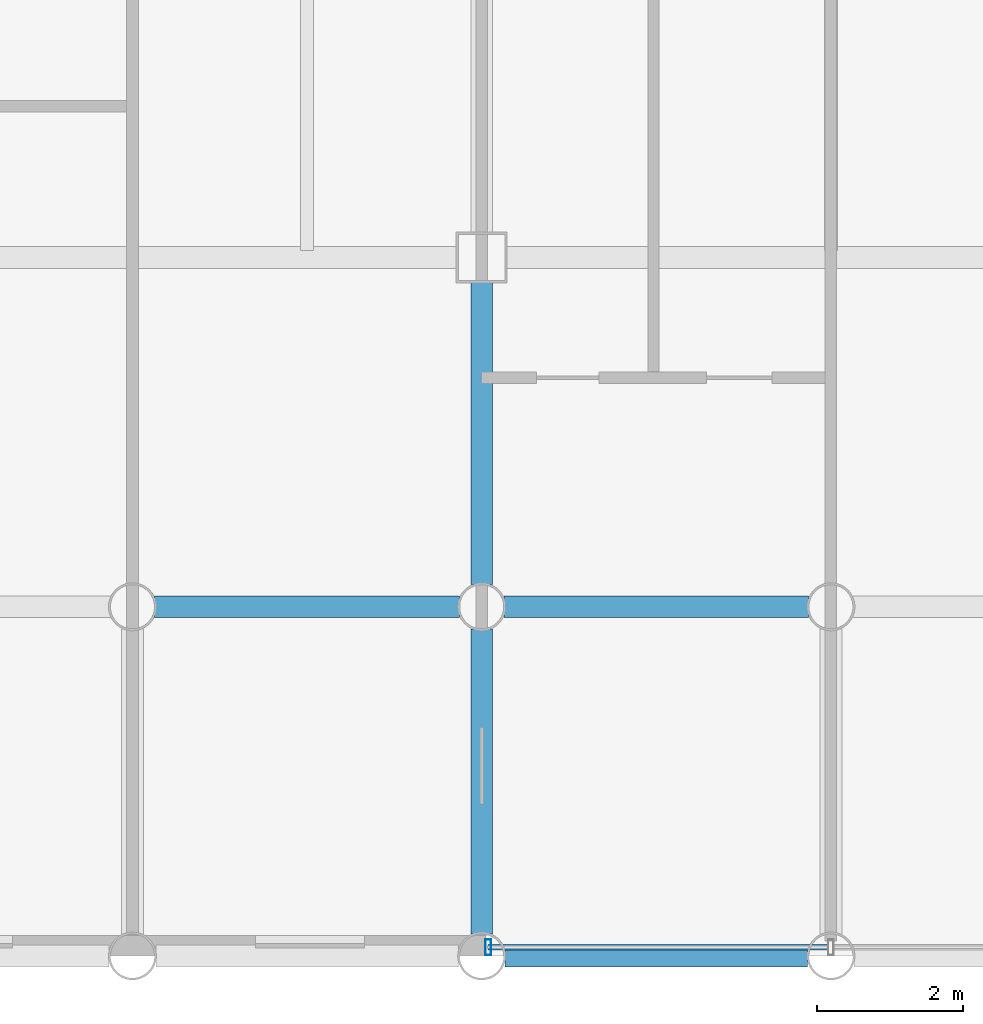
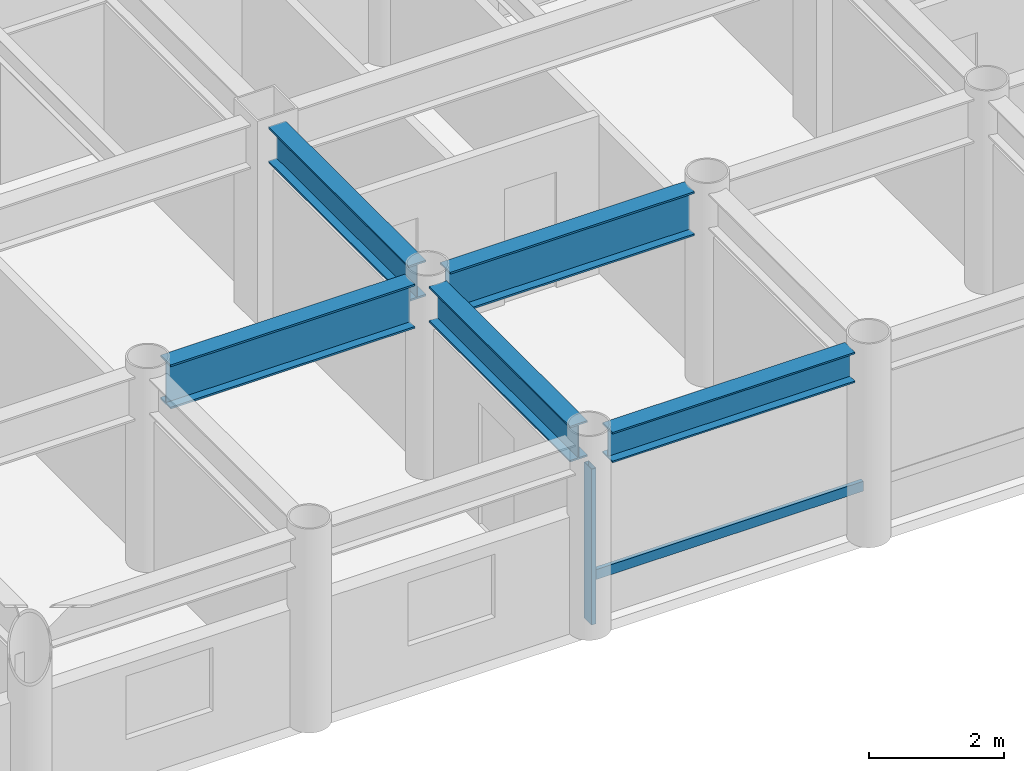
# One storey, part 2 of 20: 5 beams, 2 members, 1 element without a shape of its own.
"""IFC4 building model written with IfcOpenShell, lengths in metres."""

from ifc_helpers import new_model, si_unit, direction, frame, origin, origin_2d, place, context, subcontext, project, spatial, hollow_rectangle, i_section, extrude, material, layer, layer_set, material_profile, profile_set, type_object, element, aggregate, save


model = new_model("IFC4")

# Units and contexts
model_context = context("Model", 3, precision=1e-05, world=origin(), true_north=direction((0.0, 1.0)))
body_context = subcontext(model_context, "Body", "Model", "MODEL_VIEW")
ifc_project = project(units=[si_unit("LENGTHUNIT", "METRE"), si_unit("AREAUNIT", "SQUARE_METRE"), si_unit("VOLUMEUNIT", "CUBIC_METRE"), si_unit("PLANEANGLEUNIT", "RADIAN"), si_unit("MASSUNIT", "GRAM", prefix="KILO")], contexts=[model_context])

# Site, building, storey
site_placement = place(None, origin())
site = spatial("IfcSite", under=ifc_project, at=site_placement, CompositionType="ELEMENT")
building_placement = place(site_placement, origin())
building = spatial("IfcBuilding", under=site, at=building_placement, Name="Kallvorn Hotel Tower", CompositionType="ELEMENT")
storey_placement = place(building_placement, frame((0.0, 0.0, 158.10009765625)))
storey = spatial("IfcBuildingStorey", under=building, at=storey_placement, Name="L39", CompositionType="ELEMENT", Elevation=158.10009765625)

# Beams
ifc_material_1 = material(Name="Structural steel S355JR", Category="steel")
ifc_material_profile_1 = material_profile(ifc_material_1, i_section(OverallWidth=0.300048828125, OverallDepth=0.550048828125, WebThickness=0.014892578125, FlangeThickness=0.029052734375, at=origin_2d()), Name="HE 550 B")
ifc_profile_set_1 = profile_set([ifc_material_profile_1], Name="Structural steel S355JR")
beam_type_1 = type_object("IfcBeamType", Name="BM_HE550B", PredefinedType="SPANDREL", material=ifc_profile_set_1)
beam_1_placement = place(storey_placement, frame((-4.47998046875, -24.0, 3.244873046875), z_axis=(1.0, 0.0, 0.0), x_axis=(0.0, 1.0, 0.0)))
element("IfcBeam", 1, at=beam_1_placement, inside=storey, type_object=beam_type_1, Name="L40 Perimeter Spandrel 156", PredefinedType="SPANDREL", context=body_context, shape_type="SweptSolid", body=[
    extrude(i_section(OverallWidth=0.300048828125, OverallDepth=0.550048828125, WebThickness=0.014892578125, FlangeThickness=0.029052734375, at=origin_2d()), origin(), (0.0, 0.0, 1.0), 4.159912109375),
])
ifc_material_2 = material(Name="Structural steel S355JR", Category="steel")
ifc_material_profile_2 = material_profile(ifc_material_2, i_section(OverallWidth=0.300048828125, OverallDepth=0.64990234375, WebThickness=0.01611328125, FlangeThickness=0.031005859375, at=origin_2d()), Name="HE 650 B")
ifc_profile_set_2 = profile_set([ifc_material_profile_2], Name="Structural steel S355JR")
beam_type_2 = type_object("IfcBeamType", Name="BM_HE650B", PredefinedType="BEAM", material=ifc_profile_set_2)
beam_2_placement = place(storey_placement, frame((-4.800048828125, -23.695068359375, 3.19482421875), z_axis=(0.0, 1.0, 0.0), x_axis=(-1.0, 0.0, 0.0)))
element("IfcBeam", 2, at=beam_2_placement, inside=storey, type_object=beam_type_2, Name="L40 Primary Y-Girder 106", PredefinedType="BEAM", context=body_context, shape_type="SweptSolid", body=[
    extrude(i_section(OverallWidth=0.300048828125, OverallDepth=0.64990234375, WebThickness=0.01611328125, FlangeThickness=0.031005859375, at=origin_2d()), origin(), (0.0, 0.0, 1.0), 4.190185546875),
])
beam_3_placement = place(storey_placement, frame((-4.800048828125, -18.89501953125, 3.19482421875), z_axis=(0.0, 1.0, 0.0), x_axis=(-1.0, 0.0, 0.0)))
element("IfcBeam", 3, at=beam_3_placement, inside=storey, type_object=beam_type_2, Name="L40 Primary Y-Girder 107", PredefinedType="BEAM", context=body_context, shape_type="SweptSolid", body=[
    extrude(i_section(OverallWidth=0.300048828125, OverallDepth=0.64990234375, WebThickness=0.01611328125, FlangeThickness=0.031005859375, at=origin_2d()), origin(), (0.0, 0.0, 1.0), 4.169921875),
])
ifc_material_3 = material(Name="Structural steel S355JR", Category="steel")
ifc_material_profile_3 = material_profile(ifc_material_3, i_section(OverallWidth=0.300048828125, OverallDepth=0.800048828125, WebThickness=0.017578125, FlangeThickness=0.032958984375, at=origin_2d()), Name="HE 800 B")
ifc_profile_set_3 = profile_set([ifc_material_profile_3], Name="Structural steel S355JR")
beam_type_3 = type_object("IfcBeamType", Name="BM_HE800B", PredefinedType="BEAM", material=ifc_profile_set_3)
beam_4_placement = place(storey_placement, frame((-9.294921875, -19.199951171875, 3.119873046875), z_axis=(1.0, 0.0, 0.0), x_axis=(0.0, 1.0, 0.0)))
element("IfcBeam", 4, at=beam_4_placement, inside=storey, type_object=beam_type_3, Name="L40 Primary X-Girder 06", PredefinedType="BEAM", context=body_context, shape_type="SweptSolid", body=[
    extrude(i_section(OverallWidth=0.300048828125, OverallDepth=0.800048828125, WebThickness=0.017578125, FlangeThickness=0.032958984375, at=origin_2d()), origin(), (0.0, 0.0, 1.0), 4.18994140625),
])
beam_5_placement = place(storey_placement, frame((-4.4951171875, -19.199951171875, 3.119873046875), z_axis=(1.0, 0.0, 0.0), x_axis=(0.0, 1.0, 0.0)))
element("IfcBeam", 5, at=beam_5_placement, inside=storey, type_object=beam_type_3, Name="L40 Primary X-Girder 07", PredefinedType="BEAM", context=body_context, shape_type="SweptSolid", body=[
    extrude(i_section(OverallWidth=0.300048828125, OverallDepth=0.800048828125, WebThickness=0.017578125, FlangeThickness=0.032958984375, at=origin_2d()), origin(), (0.0, 0.0, 1.0), 4.190185546875),
])

# Curtain wall, members
ifc_material_4 = material(Name="Thermally broken black-anodised aluminium AA 6063-T6", Category="aluminium")
ifc_layer = layer(ifc_material_4, 0.2099609375)
ifc_layer_set = layer_set([ifc_layer], Name="CW_SYS_4_HOTEL_MID")
curtain_wall_type = type_object("IfcCurtainWallType", Name="CW_SYS_4_HOTEL_MID", PredefinedType="USERDEFINED", material=ifc_layer_set)
curtain_wall_placement = place(storey_placement, origin())
curtain_wall = element("IfcCurtainWall", 6, at=curtain_wall_placement, inside=storey, type_object=curtain_wall_type, Name="L39 Dark-Glass Curtain Wall CW-L39-SC", ObjectType="UNITISED CURTAIN WALL", PredefinedType="USERDEFINED")
ifc_material_5 = material(Name="Thermally broken black-anodised aluminium AA 6063-T6", Category="aluminium")
ifc_material_profile_4 = material_profile(ifc_material_5, hollow_rectangle(XDim=0.080078125, YDim=0.219970703125, WallThickness=0.0048828125, at=origin_2d()), Name="MUL 220x80")
ifc_profile_set_4 = profile_set([ifc_material_profile_4], Name="Thermally broken black-anodised aluminium AA 6063-T6")
member_type_1 = type_object("IfcMemberType", Name="CW_MULLION_220x80", PredefinedType="MULLION", material=ifc_profile_set_4)
member_1_placement = place(storey_placement, frame((-4.7099609375, -23.8798828125, 0.02001953125), z_axis=(0.0, 0.0, 1.0), x_axis=(1.0, 0.0, 0.0)))
member_1 = element("IfcMember", 7, at=member_1_placement, type_object=member_type_1, Name="CW-L39-SC Mullion 00", PredefinedType="MULLION", context=body_context, shape_type="SweptSolid", body=[
    extrude(hollow_rectangle(XDim=0.080078125, YDim=0.219970703125, WallThickness=0.0048828125, at=origin_2d()), origin(), (0.0, 0.0, 1.0), 2.829833984375),
])
ifc_material_6 = material(Name="Thermally broken black-anodised aluminium AA 6063-T6", Category="aluminium")
ifc_material_profile_5 = material_profile(ifc_material_6, hollow_rectangle(XDim=0.070068359375, YDim=0.179931640625, WallThickness=0.00390625, at=origin_2d()), Name="TRN 180x70")
ifc_profile_set_5 = profile_set([ifc_material_profile_5], Name="Thermally broken black-anodised aluminium AA 6063-T6")
member_type_2 = type_object("IfcMemberType", Name="CW_TRANSOM_180x70", PredefinedType="USERDEFINED", material=ifc_profile_set_5)
member_2_placement = place(storey_placement, frame((-4.7099609375, -23.8798828125, 0.849853515625), z_axis=(1.0, 0.0, 0.0), x_axis=(0.0, 1.0, 0.0)))
member_2 = element("IfcMember", 8, at=member_2_placement, type_object=member_type_2, Name="CW-L39-SC Transom 00M", ObjectType="TRANSOM", PredefinedType="USERDEFINED", context=body_context, shape_type="SweptSolid", body=[
    extrude(hollow_rectangle(XDim=0.070068359375, YDim=0.179931640625, WallThickness=0.00390625, at=origin_2d()), origin(), (0.0, 0.0, 1.0), 4.669921875),
])
aggregate(curtain_wall, [member_1, member_2])

save(model, "model.ifc")
